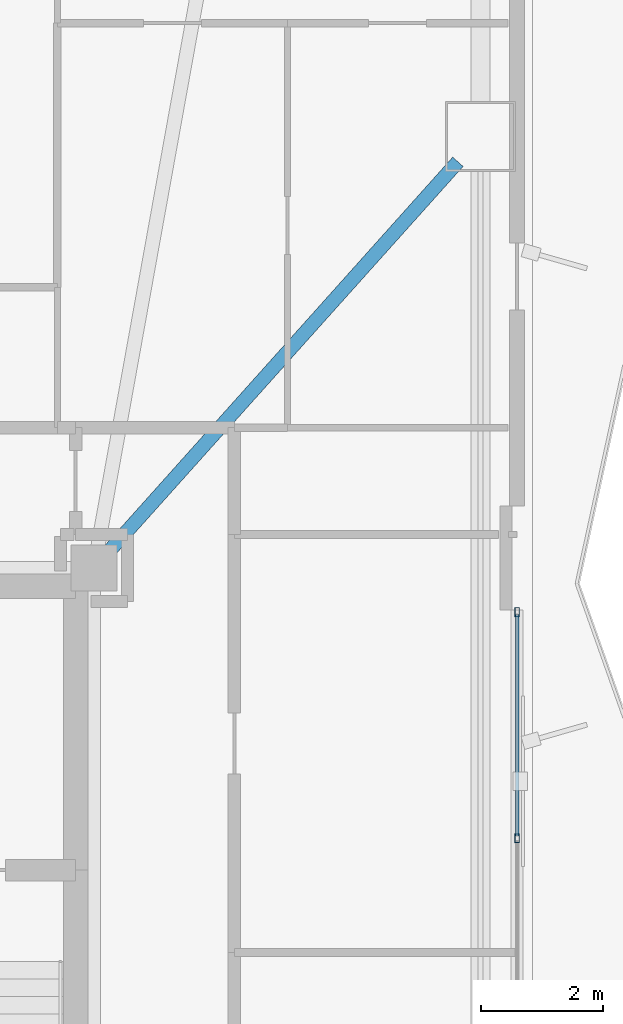
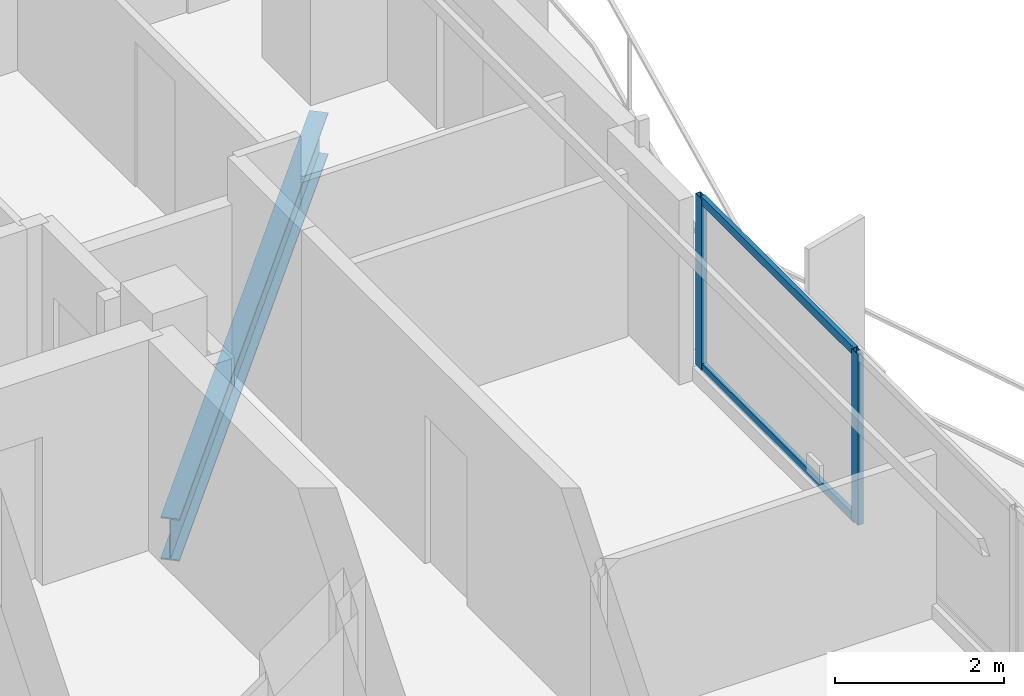
# One storey, part 10 of 22: 4 members, 1 beam, 1 element without a shape of its own.
"""IFC4 building model written with IfcOpenShell, lengths in metres."""

from ifc_helpers import new_model, si_unit, direction, frame, origin, origin_2d, place, context, subcontext, project, spatial, hollow_rectangle, i_section, extrude, material, layer, layer_set, material_profile, profile_set, type_object, element, aggregate, save


model = new_model("IFC4")

# Units and contexts
model_context = context("Model", 3, precision=1e-05, world=origin(), true_north=direction((0.0, 1.0)))
body_context = subcontext(model_context, "Body", "Model", "MODEL_VIEW")
ifc_project = project(units=[si_unit("LENGTHUNIT", "METRE"), si_unit("AREAUNIT", "SQUARE_METRE"), si_unit("VOLUMEUNIT", "CUBIC_METRE"), si_unit("PLANEANGLEUNIT", "RADIAN"), si_unit("MASSUNIT", "GRAM", prefix="KILO")], contexts=[model_context])

# Site, building, storey
site_placement = place(None, origin())
site = spatial("IfcSite", under=ifc_project, at=site_placement, CompositionType="ELEMENT")
building_placement = place(site_placement, origin())
building = spatial("IfcBuilding", under=site, at=building_placement, Name="Mersakhor Tower and Convention Hall", CompositionType="ELEMENT")
storey_placement = place(building_placement, frame((0.0, 0.0, 109.800048828125)))
storey = spatial("IfcBuildingStorey", under=building, at=storey_placement, Name="L30", CompositionType="ELEMENT", Elevation=109.800048828125)

# Beam
ifc_material_1 = material(Name="Steel S355", Category="steel")
ifc_material_profile_1 = material_profile(ifc_material_1, i_section(OverallWidth=0.22900390625, OverallDepth=0.6123046875, WebThickness=0.011962890625, FlangeThickness=0.01953125, at=origin_2d()), Name="UB 610x229x125")
ifc_profile_set_1 = profile_set([ifc_material_profile_1], Name="Steel S355")
beam_type = type_object("IfcBeamType", Name="BM-PR-610", PredefinedType="BEAM", material=ifc_profile_set_1)
beam_placement = place(storey_placement, frame((36.3369140625, 33.314453125, -0.55615234375), z_axis=(0.667217091819, 0.744863311209, 0.0), x_axis=(-0.744863311209, 0.667217091819, 0.0)))
element("IfcBeam", 1, at=beam_placement, inside=storey, type_object=beam_type, Name="L30 Primary Floor Girder FG-3", PredefinedType="BEAM", context=body_context, shape_type="SweptSolid", body=[
    extrude(i_section(OverallWidth=0.22900390625, OverallDepth=0.6123046875, WebThickness=0.011962890625, FlangeThickness=0.01953125, at=origin_2d()), origin(), (0.0, 0.0, 1.0), 8.583740234375),
])

# Curtain wall, members
ifc_material_2 = material(Name="Dark solar low-E aluminium curtain wall", Category="aluminium")
ifc_layer = layer(ifc_material_2, 0.159912109375)
ifc_layer_set = layer_set([ifc_layer], Name="Dark solar low-E aluminium curtain wall")
curtain_wall_type = type_object("IfcCurtainWallType", Name="CW-SYS-01", PredefinedType="USERDEFINED", material=ifc_layer_set)
curtain_wall_placement = place(storey_placement, origin())
curtain_wall = element("IfcCurtainWall", 2, at=curtain_wall_placement, inside=storey, type_object=curtain_wall_type, Name="L30 Dark-Glass Curtain Wall F2-B2", ObjectType="CURTAIN WALL", PredefinedType="USERDEFINED")
ifc_material_3 = material(Name="Anodised aluminium EN AW-6063 T6", Category="aluminium")
ifc_material_profile_2 = material_profile(ifc_material_3, hollow_rectangle(XDim=0.074951171875, YDim=0.14990234375, WallThickness=0.00634765625, at=origin_2d()), Name="RHS 150x75x6.3")
ifc_profile_set_2 = profile_set([ifc_material_profile_2], Name="Anodised aluminium EN AW-6063 T6")
member_type_1 = type_object("IfcMemberType", Name="CWM-150x75", PredefinedType="MULLION", material=ifc_profile_set_2)
member_1_placement = place(storey_placement, frame((43.03466796875, 32.327392578125, 0.199951171875), z_axis=(0.0, 0.0, 1.0), x_axis=(1.0, 0.0, 0.0)))
member_1 = element("IfcMember", 3, at=member_1_placement, type_object=member_type_1, Name="CW-01 mullion 1", PredefinedType="MULLION", context=body_context, shape_type="SweptSolid", body=[
    extrude(hollow_rectangle(XDim=0.074951171875, YDim=0.14990234375, WallThickness=0.00634765625, at=origin_2d()), origin(), (0.0, 0.0, 1.0), 2.469970703125),
])
member_2_placement = place(storey_placement, frame((43.03466796875, 28.62158203125, 0.199951171875), z_axis=(0.0, 0.0, 1.0), x_axis=(1.0, 0.0, 0.0)))
member_2 = element("IfcMember", 4, at=member_2_placement, type_object=member_type_1, Name="CW-01 mullion 2", PredefinedType="MULLION", context=body_context, shape_type="SweptSolid", body=[
    extrude(hollow_rectangle(XDim=0.074951171875, YDim=0.14990234375, WallThickness=0.00634765625, at=origin_2d()), origin(), (0.0, 0.0, 1.0), 2.469970703125),
])
ifc_material_4 = material(Name="Anodised aluminium EN AW-6063 T6", Category="aluminium")
ifc_material_profile_3 = material_profile(ifc_material_4, hollow_rectangle(XDim=0.06005859375, YDim=0.1201171875, WallThickness=0.0048828125, at=origin_2d()), Name="RHS 120x60x5")
ifc_profile_set_3 = profile_set([ifc_material_profile_3], Name="Anodised aluminium EN AW-6063 T6")
member_type_2 = type_object("IfcMemberType", Name="CWT-120x60", PredefinedType="USERDEFINED", material=ifc_profile_set_3)
member_3_placement = place(storey_placement, frame((43.03466796875, 32.289794921875, 0.22998046875), z_axis=(0.0, -1.0, 0.0), x_axis=(1.0, 0.0, 0.0)))
member_3 = element("IfcMember", 5, at=member_3_placement, type_object=member_type_2, Name="CW-01 transom 1.1", ObjectType="TRANSOM", PredefinedType="USERDEFINED", context=body_context, shape_type="SweptSolid", body=[
    extrude(hollow_rectangle(XDim=0.06005859375, YDim=0.1201171875, WallThickness=0.0048828125, at=origin_2d()), origin(), (0.0, 0.0, 1.0), 3.630615234375),
])
member_4_placement = place(storey_placement, frame((43.03466796875, 32.289794921875, 2.639892578125), z_axis=(0.0, -1.0, 0.0), x_axis=(1.0, 0.0, 0.0)))
member_4 = element("IfcMember", 6, at=member_4_placement, type_object=member_type_2, Name="CW-01 transom 1.2", ObjectType="TRANSOM", PredefinedType="USERDEFINED", context=body_context, shape_type="SweptSolid", body=[
    extrude(hollow_rectangle(XDim=0.06005859375, YDim=0.1201171875, WallThickness=0.0048828125, at=origin_2d()), origin(), (0.0, 0.0, 1.0), 3.630615234375),
])
aggregate(curtain_wall, [member_1, member_2, member_3, member_4])

save(model, "model.ifc")
